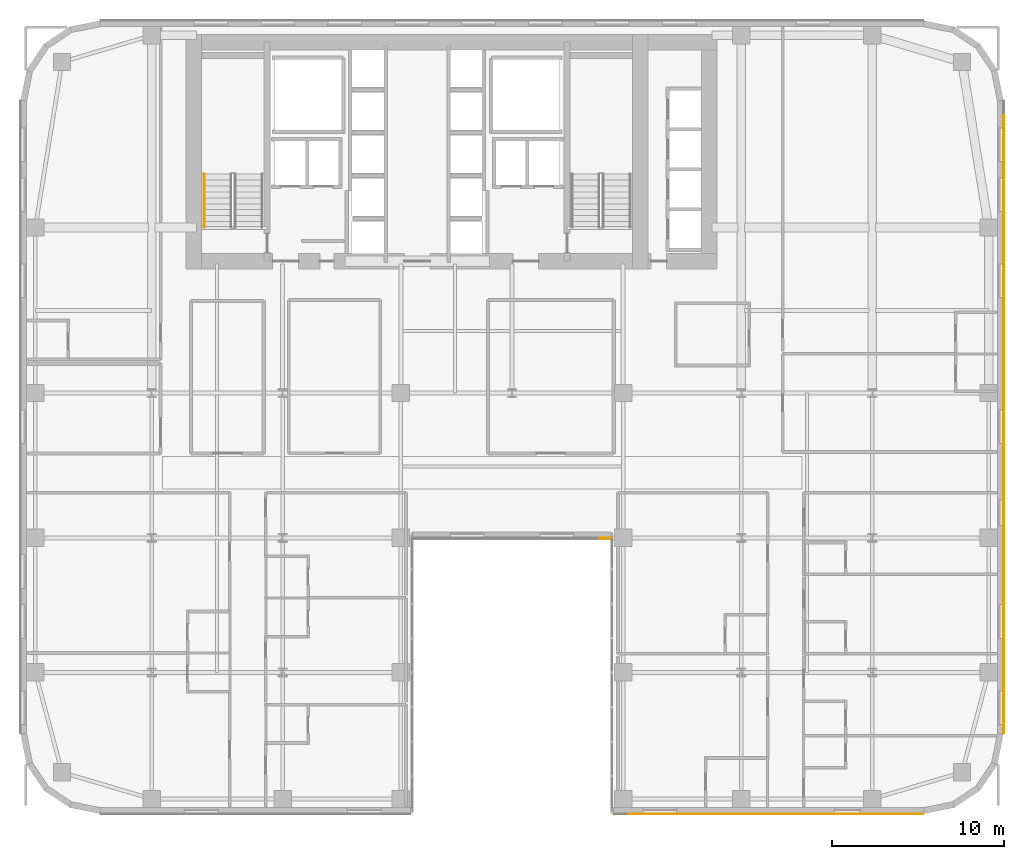
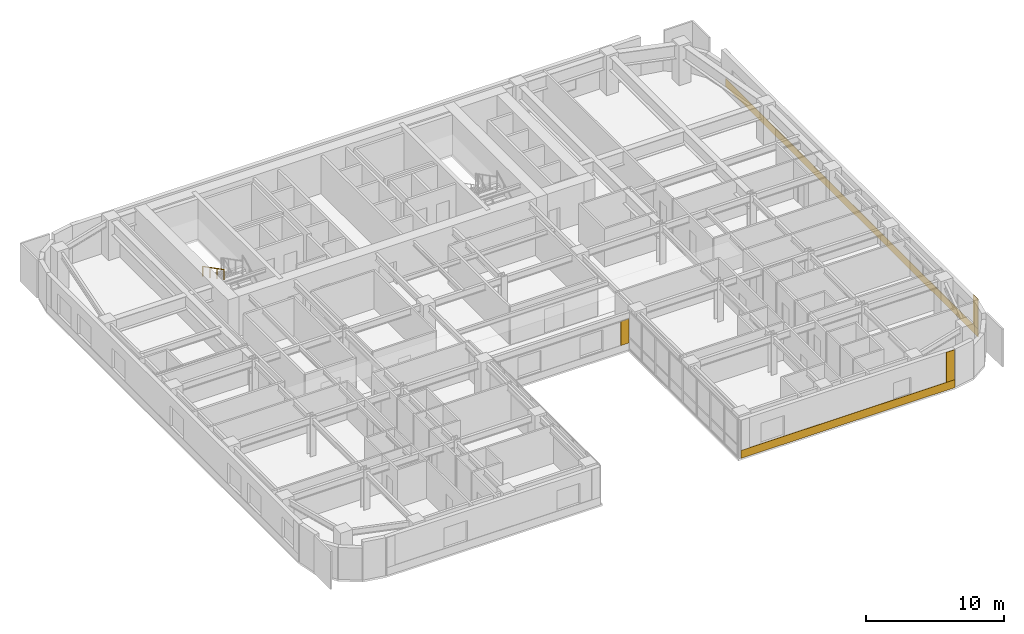
# One storey, part 21 of 24: 5 coverings, 1 railing.
"""IFC4 building model written with IfcOpenShell, lengths in metres."""

from ifc_helpers import new_model, si_unit, direction, frame, origin, origin_2d, place, context, subcontext, project, spatial, polyline, circle, outline, extrude, material, layer, layer_set, type_object, element, save


model = new_model("IFC4")

# Units and contexts
model_context = context("Model", 3, precision=1e-05, world=origin(), true_north=direction((0.0, 1.0)))
body_context = subcontext(model_context, "Body", "Model", "MODEL_VIEW")
ifc_project = project(units=[si_unit("LENGTHUNIT", "METRE"), si_unit("AREAUNIT", "SQUARE_METRE"), si_unit("VOLUMEUNIT", "CUBIC_METRE"), si_unit("PLANEANGLEUNIT", "RADIAN"), si_unit("MASSUNIT", "GRAM", prefix="KILO")], contexts=[model_context])

# Site, building, storey
site_placement = place(None, origin())
site = spatial("IfcSite", under=ifc_project, at=site_placement, CompositionType="ELEMENT")
building_placement = place(site_placement, origin())
building = spatial("IfcBuilding", under=site, at=building_placement, Name="Tolvann Quenvar Hotel", CompositionType="ELEMENT")
storey_placement = place(building_placement, frame((0.0, 0.0, 67.5)))
storey = spatial("IfcBuildingStorey", under=building, at=storey_placement, Name="L16", CompositionType="ELEMENT", Elevation=67.5)

# Coverings
ifc_material_1 = material(Name="Kiln-fired red architectural face brick cladding", Category="masonry")
ifc_layer_1 = layer(ifc_material_1, 0.0400390625)
ifc_layer_set_1 = layer_set([ifc_layer_1], Name="Kiln-fired red architectural face brick cladding")
covering_type_1 = type_object("IfcCoveringType", Name="COV_CLAD_BRICK_40", PredefinedType="CLADDING", material=ifc_layer_set_1)
covering_1_placement = place(storey_placement, frame((0.0, 0.0, 0.6044921875)))
element("IfcCovering", 1, at=covering_1_placement, inside=storey, type_object=covering_type_1, Name="Brick Pier Cladding (L16-E06-P2)", PredefinedType="CLADDING", context=body_context, shape_type="SweptSolid", body=[
    extrude(outline(polyline([(33.5400390625, 16.0), (34.239990234375, 16.0), (34.239990234375, 15.9599609375), (33.5400390625, 15.9599609375), (33.5400390625, 16.0)])), origin(), (0.0, 0.0, 1.0), 2.1435546875),
])
covering_2_placement = place(storey_placement, frame((0.0, 0.0, 0.699951171875)))
element("IfcCovering", 2, at=covering_2_placement, inside=storey, type_object=covering_type_1, Name="Brick Pier Cladding (L16-E08-P2)", PredefinedType="CLADDING", context=body_context, shape_type="SweptSolid", body=[
    extrude(outline(polyline([(51.6328125, 0.0), (52.332763671875, 0.0), (52.332763671875, -0.0400390625), (51.6328125, -0.0400390625), (51.6328125, 0.0)])), origin(), (0.0, 0.0, 1.0), 2.670166015625),
])
covering_3_placement = place(storey_placement, frame((0.0, 0.0, 0.699951171875)))
element("IfcCovering", 3, at=covering_3_placement, inside=storey, type_object=covering_type_1, Name="Brick Pier Cladding (L16-E13-P1)", PredefinedType="CLADDING", context=body_context, shape_type="SweptSolid", body=[
    extrude(outline(polyline([(57.0, 4.667236328125), (57.0, 5.3671875), (57.0400390625, 5.3671875), (57.0400390625, 4.667236328125), (57.0, 4.667236328125)])), origin(), (0.0, 0.0, 1.0), 2.670166015625),
])
ifc_material_2 = material(Name="Moulded buff architectural terracotta spandrel cladding", Category="masonry")
ifc_layer_2 = layer(ifc_material_2, 0.0400390625)
ifc_layer_set_2 = layer_set([ifc_layer_2], Name="Moulded buff architectural terracotta spandrel cladding")
covering_type_2 = type_object("IfcCoveringType", Name="COV_CLAD_TERRA_40", PredefinedType="CLADDING", material=ifc_layer_set_2)
covering_4_placement = place(storey_placement, origin())
element("IfcCovering", 4, at=covering_4_placement, inside=storey, type_object=covering_type_2, Name="Terracotta Spandrel Cladding (L16-E08)", PredefinedType="CLADDING", context=body_context, shape_type="SweptSolid", body=[
    extrude(outline(polyline([(34.4150390625, 0.0), (52.3427734375, 0.0), (52.3427734375, -0.0400390625), (34.4150390625, -0.0400390625), (34.4150390625, 0.0)])), origin(), (0.0, 0.0, 1.0), 0.699951171875),
])
covering_5_placement = place(storey_placement, origin())
element("IfcCovering", 5, at=covering_5_placement, inside=storey, type_object=covering_type_2, Name="Terracotta Spandrel Cladding (L16-E13)", PredefinedType="CLADDING", context=body_context, shape_type="SweptSolid", body=[
    extrude(outline(polyline([(57.0, 4.6572265625), (57.0, 41.3427734375), (57.0400390625, 41.3427734375), (57.0400390625, 4.6572265625), (57.0, 4.6572265625)])), origin(), (0.0, 0.0, 1.0), 0.699951171875),
])

# Railing
ifc_material_3 = material(Name="Brushed 316 stainless steel balustrade and handrail", Category="steel")
railing_type = type_object("IfcRailingType", Name="HANDRAIL", PredefinedType="HANDRAIL", material=ifc_material_3)
railing_placement = place(storey_placement, frame((10.64990234375, 37.10498046875, 1.952392578125)))
element("IfcRailing", 6, at=railing_placement, inside=storey, type_object=railing_type, Name="L16 ST-C1 stair handrail 2", PredefinedType="HANDRAIL", context=body_context, shape_type="SweptSolid", body=[
    extrude(circle(Radius=0.02392578125, at=origin_2d()), frame((0.0, 0.0, 0.8759765625), z_axis=(0.0, -0.88919353882, 0.457531256332), x_axis=(1.0, 0.0, 0.0)), (0.0, 0.0, 1.0), 3.491943359375),
    extrude(circle(Radius=0.02099609375, at=origin_2d()), origin(), (0.0, 0.0, 1.0), 0.851806640625),
    extrude(circle(Radius=0.02099609375, at=origin_2d()), frame((0.0, -1.034912109375, 0.532470703125)), (0.0, 0.0, 1.0), 0.851806640625),
    extrude(circle(Radius=0.02099609375, at=origin_2d()), frame((0.0, -2.070068359375, 1.065185546875)), (0.0, 0.0, 1.0), 0.851806640625),
    extrude(circle(Radius=0.02099609375, at=origin_2d()), frame((0.0, -3.10498046875, 1.59765625)), (0.0, 0.0, 1.0), 0.851806640625),
])

save(model, "model.ifc")
